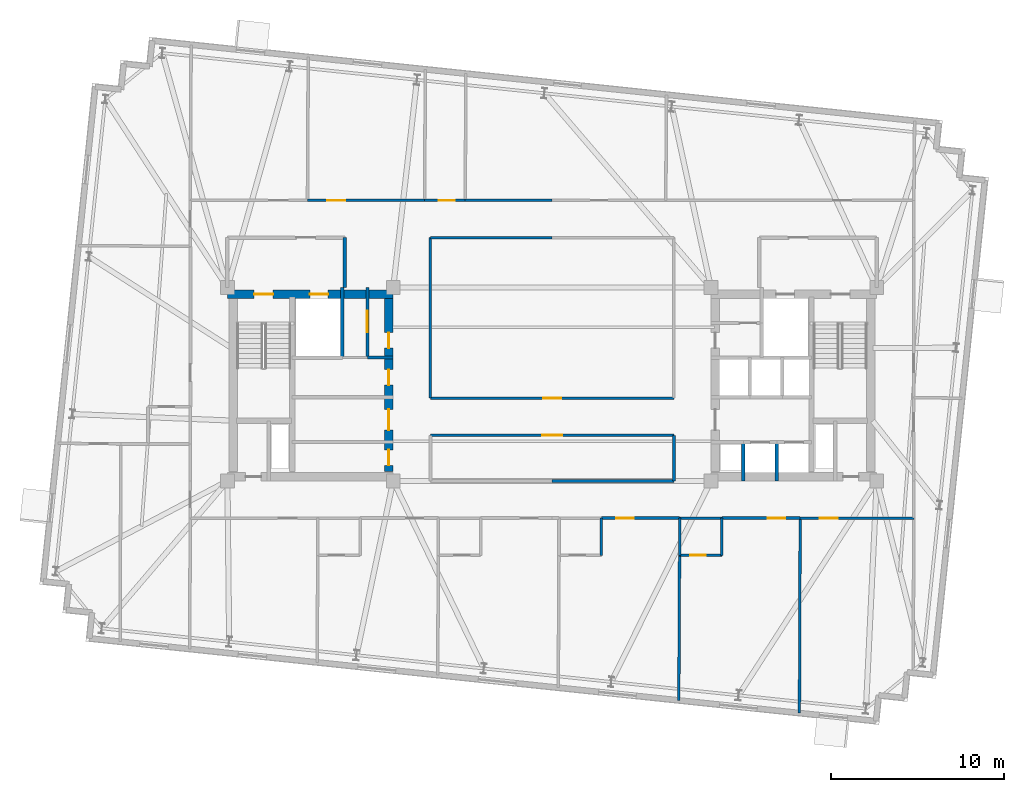
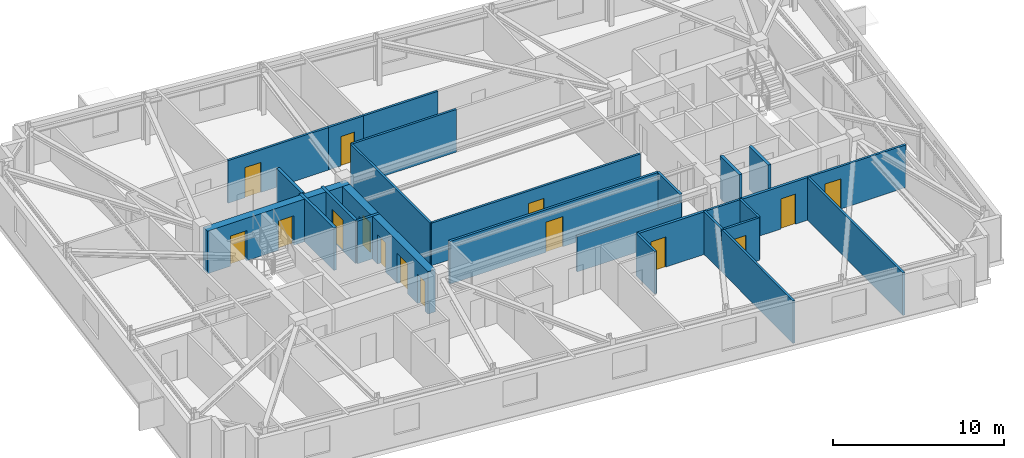
# One storey, part 7 of 11: 27 walls, 15 doors, 15 openings.
"""IFC4 building model written with IfcOpenShell, lengths in metres."""

from ifc_helpers import new_model, si_unit, direction, frame, frame_2d, origin, place, context, subcontext, project, spatial, rectangle, extrude, material, layer, layer_set, type_object, element, fill, save


model = new_model("IFC4")

# Units and contexts
model_context = context("Model", 3, precision=1e-05, world=origin(), true_north=direction((0.0, 1.0)))
body_context = subcontext(model_context, "Body", "Model", "MODEL_VIEW")
ifc_project = project(units=[si_unit("LENGTHUNIT", "METRE"), si_unit("AREAUNIT", "SQUARE_METRE"), si_unit("VOLUMEUNIT", "CUBIC_METRE"), si_unit("PLANEANGLEUNIT", "RADIAN"), si_unit("MASSUNIT", "GRAM", prefix="KILO")], contexts=[model_context])

# Site, building, storey
site_placement = place(None, origin())
site = spatial("IfcSite", under=ifc_project, at=site_placement, CompositionType="ELEMENT")
building_placement = place(site_placement, origin())
building = spatial("IfcBuilding", under=site, at=building_placement, Name="Qobustan Lattice House", CompositionType="ELEMENT")
storey_placement = place(building_placement, frame((0.0, 0.0, 216.5)))
storey = spatial("IfcBuildingStorey", under=building, at=storey_placement, Name="L61", CompositionType="ELEMENT", Elevation=216.5)

# Wall, openings, doors
ifc_material_1 = material(Name="Concrete C50/60", Category="concrete")
ifc_layer_1 = layer(ifc_material_1, 0.5)
ifc_layer_set_1 = layer_set([ifc_layer_1], Name="Concrete C50/60")
wall_type_1 = type_object("IfcWallType", Name="WAL-CORE-500", PredefinedType="SHEAR", material=ifc_layer_set_1)
wall_1_placement = place(storey_placement, frame((-18.800048828125, 5.2099609375, 0.0), z_axis=(0.0, 0.0, 1.0), x_axis=(1.0, 0.0, 0.0)))
wall_1 = element("IfcWall", 1, at=wall_1_placement, inside=storey, type_object=wall_type_1, Name="L61 split-core shear wall CW-N", PredefinedType="SHEAR", context=body_context, shape_type="SweptSolid", body=[
    extrude(rectangle(XDim=9.60009765625, YDim=0.5, at=frame_2d((4.800048828125, 0.0))), origin(), (0.0, 0.0, 1.0), 3.0400390625),
])
opening_1_placement = place(wall_1_placement, frame((1.550048828125, 0.0, 0.0)))
opening_1 = element("IfcOpeningElement", 2, at=opening_1_placement, cuts=wall_1, Name="Opening SD-01", PredefinedType="OPENING", context=body_context, shape_type="SweptSolid", body=[
    extrude(rectangle(XDim=1.10009765625, YDim=2.14990234375, at=frame_2d((0.550048828125, 1.074951171875))), frame((0.0, 0.260009765625, 0.0), z_axis=(0.0, -1.0, 0.0), x_axis=(1.0, 0.0, 0.0)), (0.0, 0.0, 1.0), 0.52001953125),
])
opening_2_placement = place(wall_1_placement, frame((4.77490234375, 0.0, 0.0)))
opening_2 = element("IfcOpeningElement", 3, at=opening_2_placement, cuts=wall_1, Name="Opening LD-01", PredefinedType="OPENING", context=body_context, shape_type="SweptSolid", body=[
    extrude(rectangle(XDim=1.050048828125, YDim=2.10009765625, at=frame_2d((0.52490234375, 1.050048828125))), frame((0.0, 0.260009765625, 0.0), z_axis=(0.0, -1.0, 0.0), x_axis=(1.0, 0.0, 0.0)), (0.0, 0.0, 1.0), 0.52001953125),
])
ifc_material_2 = material(Name="Persian walnut timber and steel frame door", Category="steel")
door_type_1 = type_object("IfcDoorType", Name="DOR-LIFT-LD-1050x2100", OperationType="NOTDEFINED", PredefinedType="DOOR", material=ifc_material_2)
door_1_placement = place(opening_2_placement, origin())
door_1 = element("IfcDoor", 4, at=door_1_placement, inside=storey, type_object=door_type_1, Name="L61 firefighting lift FF-W landing door", OperationType="DOUBLE_DOOR_SLIDING", OverallHeight=2.10009765625, OverallWidth=1.050048828125, PredefinedType="DOOR", context=body_context, shape_type="SweptSolid", body=[
    extrude(rectangle(XDim=1.050048828125, YDim=2.10009765625, at=frame_2d((0.52490234375, 1.050048828125))), frame((0.0, 0.02490234375, 0.0), z_axis=(0.0, -1.0, 0.0), x_axis=(1.0, 0.0, 0.0)), (0.0, 0.0, 1.0), 0.050048828125),
])
fill(opening_2, door_1)
ifc_material_3 = material(Name="Persian walnut timber and steel frame door", Category="steel")
door_type_2 = type_object("IfcDoorType", Name="DOR-STAIR-FD-1100x2150", OperationType="NOTDEFINED", PredefinedType="DOOR", material=ifc_material_3)
door_2_placement = place(opening_1_placement, origin())
door_2 = element("IfcDoor", 5, at=door_2_placement, inside=storey, type_object=door_type_2, Name="L61 exit stair ST-W1 fire door", OperationType="SINGLE_SWING_RIGHT", OverallHeight=2.14990234375, OverallWidth=1.10009765625, PredefinedType="DOOR", context=body_context, shape_type="SweptSolid", body=[
    extrude(rectangle(XDim=1.10009765625, YDim=2.14990234375, at=frame_2d((0.550048828125, 1.074951171875))), frame((0.0, 0.02490234375, 0.0), z_axis=(0.0, -1.0, 0.0), x_axis=(1.0, 0.0, 0.0)), (0.0, 0.0, 1.0), 0.050048828125),
])
fill(opening_1, door_2)

wall_2_placement = place(storey_placement, frame((-9.449951171875, -5.050048828125, 0.0), z_axis=(0.0, 0.0, 1.0), x_axis=(0.0, 1.0, 0.0)))
wall_2 = element("IfcWall", 6, at=wall_2_placement, inside=storey, type_object=wall_type_1, Name="L61 split-core shear wall CW-E", PredefinedType="SHEAR", context=body_context, shape_type="SweptSolid", body=[
    extrude(rectangle(XDim=10.10009765625, YDim=0.5, at=frame_2d((5.050048828125, 0.0))), origin(), (0.0, 0.0, 1.0), 3.0400390625),
])
opening_3_placement = place(wall_2_placement, frame((7.14990234375, 0.0, 0.0)))
opening_3 = element("IfcOpeningElement", 7, at=opening_3_placement, cuts=wall_2, Name="Opening RD-01", PredefinedType="OPENING", context=body_context, shape_type="SweptSolid", body=[
    extrude(rectangle(XDim=0.89990234375, YDim=2.10009765625, at=frame_2d((0.449951171875, 1.050048828125))), frame((0.0, 0.260009765625, 0.0), z_axis=(0.0, -1.0, 0.0), x_axis=(1.0, 0.0, 0.0)), (0.0, 0.0, 1.0), 0.52001953125),
])
opening_4_placement = place(wall_2_placement, frame((2.39990234375, 0.0, 0.0)))
opening_4 = element("IfcOpeningElement", 8, at=opening_4_placement, cuts=wall_2, Name="Opening FD-01", PredefinedType="OPENING", context=body_context, shape_type="SweptSolid", body=[
    extrude(rectangle(XDim=1.199951171875, YDim=2.14990234375, at=frame_2d((0.60009765625, 1.074951171875))), frame((0.0, 0.260009765625, 0.0), z_axis=(0.0, -1.0, 0.0), x_axis=(1.0, 0.0, 0.0)), (0.0, 0.0, 1.0), 0.52001953125),
])
opening_5_placement = place(wall_2_placement, frame((0.35009765625, 0.0, 0.0)))
opening_5 = element("IfcOpeningElement", 9, at=opening_5_placement, cuts=wall_2, Name="Opening RD-01", PredefinedType="OPENING", context=body_context, shape_type="SweptSolid", body=[
    extrude(rectangle(XDim=0.89990234375, YDim=2.10009765625, at=frame_2d((0.449951171875, 1.050048828125))), frame((0.0, 0.260009765625, 0.0), z_axis=(0.0, -1.0, 0.0), x_axis=(1.0, 0.0, 0.0)), (0.0, 0.0, 1.0), 0.52001953125),
])
opening_6_placement = place(wall_2_placement, frame((5.0, 0.0, 0.0)))
opening_6 = element("IfcOpeningElement", 10, at=opening_6_placement, cuts=wall_2, Name="Opening RD-01", PredefinedType="OPENING", context=body_context, shape_type="SweptSolid", body=[
    extrude(rectangle(XDim=0.89990234375, YDim=2.10009765625, at=frame_2d((0.449951171875, 1.050048828125))), frame((0.0, 0.260009765625, 0.0), z_axis=(0.0, -1.0, 0.0), x_axis=(1.0, 0.0, 0.0)), (0.0, 0.0, 1.0), 0.52001953125),
])
ifc_material_4 = material(Name="Persian walnut timber and steel frame door", Category="steel")
door_type_3 = type_object("IfcDoorType", Name="DOR-LOBBY-FD-1200x2150", OperationType="NOTDEFINED", PredefinedType="DOOR", material=ifc_material_4)
door_3_placement = place(opening_4_placement, origin())
door_3 = element("IfcDoor", 11, at=door_3_placement, inside=storey, type_object=door_type_3, Name="L61 West core foyer fire door", OperationType="SINGLE_SWING_LEFT", OverallHeight=2.14990234375, OverallWidth=1.199951171875, PredefinedType="DOOR", context=body_context, shape_type="SweptSolid", body=[
    extrude(rectangle(XDim=1.199951171875, YDim=2.14990234375, at=frame_2d((0.60009765625, 1.074951171875))), frame((0.0, 0.02490234375, 0.0), z_axis=(0.0, -1.0, 0.0), x_axis=(1.0, 0.0, 0.0)), (0.0, 0.0, 1.0), 0.050048828125),
])
fill(opening_4, door_3)
ifc_material_5 = material(Name="Persian walnut timber and steel frame door", Category="steel")
door_type_4 = type_object("IfcDoorType", Name="DOR-RISER-FD-900x2100", OperationType="NOTDEFINED", PredefinedType="DOOR", material=ifc_material_5)
door_4_placement = place(opening_3_placement, origin())
door_4 = element("IfcDoor", 12, at=door_4_placement, inside=storey, type_object=door_type_4, Name="L61 Data comms closet fire door", OperationType="SINGLE_SWING_RIGHT", OverallHeight=2.10009765625, OverallWidth=0.89990234375, PredefinedType="DOOR", context=body_context, shape_type="SweptSolid", body=[
    extrude(rectangle(XDim=0.89990234375, YDim=2.10009765625, at=frame_2d((0.449951171875, 1.050048828125))), frame((0.0, 0.02490234375, 0.0), z_axis=(0.0, -1.0, 0.0), x_axis=(1.0, 0.0, 0.0)), (0.0, 0.0, 1.0), 0.050048828125),
])
fill(opening_3, door_4)
door_5_placement = place(opening_5_placement, origin())
door_5 = element("IfcDoor", 13, at=door_5_placement, inside=storey, type_object=door_type_4, Name="L61 Collaborative study lounge fire door", OperationType="SINGLE_SWING_RIGHT", OverallHeight=2.10009765625, OverallWidth=0.89990234375, PredefinedType="DOOR", context=body_context, shape_type="SweptSolid", body=[
    extrude(rectangle(XDim=0.89990234375, YDim=2.10009765625, at=frame_2d((0.449951171875, 1.050048828125))), frame((0.0, 0.02490234375, 0.0), z_axis=(0.0, -1.0, 0.0), x_axis=(1.0, 0.0, 0.0)), (0.0, 0.0, 1.0), 0.050048828125),
])
fill(opening_5, door_5)
door_6_placement = place(opening_6_placement, origin())
door_6 = element("IfcDoor", 14, at=door_6_placement, inside=storey, type_object=door_type_4, Name="L61 Focus booth pod fire door", OperationType="SINGLE_SWING_LEFT", OverallHeight=2.10009765625, OverallWidth=0.89990234375, PredefinedType="DOOR", context=body_context, shape_type="SweptSolid", body=[
    extrude(rectangle(XDim=0.89990234375, YDim=2.10009765625, at=frame_2d((0.449951171875, 1.050048828125))), frame((0.0, 0.02490234375, 0.0), z_axis=(0.0, -1.0, 0.0), x_axis=(1.0, 0.0, 0.0)), (0.0, 0.0, 1.0), 0.050048828125),
])
fill(opening_6, door_6)

# Wall, opening, door
ifc_material_6 = material(Name="Gypsum fireboard acoustic partition", Category="gypsum")
ifc_layer_2 = layer(ifc_material_6, 0.179931640625)
ifc_layer_set_2 = layer_set([ifc_layer_2], Name="Gypsum fireboard acoustic partition")
wall_type_2 = type_object("IfcWallType", Name="WAL-FIRE-180", PredefinedType="PARTITIONING", material=ifc_layer_set_2)
wall_3_placement = place(storey_placement, frame((-10.699951171875, 5.60009765625, 0.0), z_axis=(0.0, 0.0, 1.0), x_axis=(0.0, -1.0, 0.0)))
wall_3 = element("IfcWall", 15, at=wall_3_placement, inside=storey, type_object=wall_type_2, Name="L61 interior partition 6", PredefinedType="PARTITIONING", context=body_context, shape_type="SweptSolid", body=[
    extrude(rectangle(XDim=4.050048828125, YDim=0.179931640625, at=frame_2d((2.02490234375, 0.0))), origin(), (0.0, 0.0, 1.0), 3.0400390625),
])
opening_7_placement = place(wall_3_placement, frame((1.324951171875, 0.0, 0.0)))
opening_7 = element("IfcOpeningElement", 16, at=opening_7_placement, cuts=wall_3, Name="Opening FD-03", PredefinedType="OPENING", context=body_context, shape_type="SweptSolid", body=[
    extrude(rectangle(XDim=1.25, YDim=2.199951171875, at=frame_2d((0.625, 1.10009765625))), frame((0.0, 0.099853515625, 0.0), z_axis=(0.0, -1.0, 0.0), x_axis=(1.0, 0.0, 0.0)), (0.0, 0.0, 1.0), 0.199951171875),
])
ifc_material_7 = material(Name="Persian walnut timber and steel frame door", Category="steel")
door_type_5 = type_object("IfcDoorType", Name="DOR-PLANT-1250x2200", OperationType="NOTDEFINED", PredefinedType="DOOR", material=ifc_material_7)
door_7_placement = place(opening_7_placement, origin())
door_7 = element("IfcDoor", 17, at=door_7_placement, inside=storey, type_object=door_type_5, Name="L61 Data comms closet to Linen store door", OperationType="SINGLE_SWING_LEFT", OverallHeight=2.199951171875, OverallWidth=1.25, PredefinedType="DOOR", context=body_context, shape_type="SweptSolid", body=[
    extrude(rectangle(XDim=1.25, YDim=2.199951171875, at=frame_2d((0.625, 1.10009765625))), frame((0.0, 0.02490234375, 0.0), z_axis=(0.0, -1.0, 0.0), x_axis=(1.0, 0.0, 0.0)), (0.0, 0.0, 1.0), 0.050048828125),
])
fill(opening_7, door_7)

# Wall
wall_4_placement = place(storey_placement, frame((-10.699951171875, 1.550048828125, 0.0), z_axis=(0.0, 0.0, 1.0), x_axis=(1.0, 0.0, 0.0)))
element("IfcWall", 18, at=wall_4_placement, inside=storey, type_object=wall_type_2, Name="L61 interior partition 7", PredefinedType="PARTITIONING", context=body_context, shape_type="SweptSolid", body=[
    extrude(rectangle(XDim=1.5, YDim=0.179931640625, at=frame_2d((0.75, 0.0))), origin(), (0.0, 0.0, 1.0), 3.0400390625),
])

# Wall, opening, door
wall_5_placement = place(storey_placement, frame((7.383056640625, -7.75, 0.0), z_axis=(0.0, 0.0, 1.0), x_axis=(-1.0, 0.0, 0.0)))
wall_5 = element("IfcWall", 19, at=wall_5_placement, inside=storey, type_object=wall_type_2, Name="L61 interior partition 53", PredefinedType="PARTITIONING", context=body_context, shape_type="SweptSolid", body=[
    extrude(rectangle(XDim=4.532958984375, YDim=0.179931640625, at=frame_2d((2.2666015625, 0.0))), origin(), (0.0, 0.0, 1.0), 3.0400390625),
])
opening_8_placement = place(wall_5_placement, frame((2.656494140625, 0.0, 0.0)))
opening_8 = element("IfcOpeningElement", 20, at=opening_8_placement, cuts=wall_5, Name="Opening FD-02", PredefinedType="OPENING", context=body_context, shape_type="SweptSolid", body=[
    extrude(rectangle(XDim=1.0, YDim=2.14990234375, at=frame_2d((0.5, 1.074951171875))), frame((0.0, 0.099853515625, 0.0), z_axis=(0.0, -1.0, 0.0), x_axis=(1.0, 0.0, 0.0)), (0.0, 0.0, 1.0), 0.199951171875),
])
ifc_material_8 = material(Name="Persian walnut timber and steel frame door", Category="steel")
door_type_6 = type_object("IfcDoorType", Name="DOR-UNIT-FD-1000x2150", OperationType="NOTDEFINED", PredefinedType="DOOR", material=ifc_material_8)
door_8_placement = place(opening_8_placement, origin())
door_8 = element("IfcDoor", 21, at=door_8_placement, inside=storey, type_object=door_type_6, Name="L61 South-east floor corridor to Kitchenette and studio apartment L61-S4 door", OperationType="SINGLE_SWING_RIGHT", OverallHeight=2.14990234375, OverallWidth=1.0, PredefinedType="DOOR", context=body_context, shape_type="SweptSolid", body=[
    extrude(rectangle(XDim=1.0, YDim=2.14990234375, at=frame_2d((0.5, 1.074951171875))), frame((0.0, 0.02490234375, 0.0), z_axis=(0.0, -1.0, 0.0), x_axis=(1.0, 0.0, 0.0)), (0.0, 0.0, 1.0), 0.050048828125),
])
fill(opening_8, door_8)

wall_6_placement = place(storey_placement, frame((14.366943359375, -7.75, 0.0), z_axis=(0.0, 0.0, 1.0), x_axis=(-1.0, 0.0, 0.0)))
wall_6 = element("IfcWall", 22, at=wall_6_placement, inside=storey, type_object=wall_type_2, Name="L61 interior partition 55", PredefinedType="PARTITIONING", context=body_context, shape_type="SweptSolid", body=[
    extrude(rectangle(XDim=4.533935546875, YDim=0.179931640625, at=frame_2d((2.26708984375, 0.0))), origin(), (0.0, 0.0, 1.0), 3.0400390625),
])
opening_9_placement = place(wall_6_placement, frame((0.876708984375, 0.0, 0.0)))
opening_9 = element("IfcOpeningElement", 23, at=opening_9_placement, cuts=wall_6, Name="Opening FD-02", PredefinedType="OPENING", context=body_context, shape_type="SweptSolid", body=[
    extrude(rectangle(XDim=1.0, YDim=2.14990234375, at=frame_2d((0.5, 1.074951171875))), frame((0.0, 0.099853515625, 0.0), z_axis=(0.0, -1.0, 0.0), x_axis=(1.0, 0.0, 0.0)), (0.0, 0.0, 1.0), 0.199951171875),
])
door_9_placement = place(opening_9_placement, origin())
door_9 = element("IfcDoor", 24, at=door_9_placement, inside=storey, type_object=door_type_6, Name="L61 South-east floor corridor to Kitchenette and studio apartment L61-S5 door", OperationType="SINGLE_SWING_LEFT", OverallHeight=2.14990234375, OverallWidth=1.0, PredefinedType="DOOR", context=body_context, shape_type="SweptSolid", body=[
    extrude(rectangle(XDim=1.0, YDim=2.14990234375, at=frame_2d((0.5, 1.074951171875))), frame((0.0, 0.02490234375, 0.0), z_axis=(0.0, -1.0, 0.0), x_axis=(1.0, 0.0, 0.0)), (0.0, 0.0, 1.0), 0.050048828125),
])
fill(opening_9, door_9)

ifc_material_9 = material(Name="Acoustic twin-stud gypsum partition", Category="gypsum")
ifc_layer_3 = layer(ifc_material_9, 0.14990234375)
ifc_layer_set_3 = layer_set([ifc_layer_3], Name="Acoustic twin-stud gypsum partition")
wall_type_3 = type_object("IfcWallType", Name="WAL-PART-150", PredefinedType="PARTITIONING", material=ifc_layer_set_3)
wall_7_placement = place(storey_placement, frame((-14.16650390625, 10.64990234375, 0.0), z_axis=(0.0, 0.0, 1.0), x_axis=(1.0, 0.0, 0.0)))
wall_7 = element("IfcWall", 25, at=wall_7_placement, inside=storey, type_object=wall_type_3, Name="L61 interior partition 36", PredefinedType="PARTITIONING", context=body_context, shape_type="SweptSolid", body=[
    extrude(rectangle(XDim=6.783447265625, YDim=0.14990234375, at=frame_2d((3.3916015625, 0.0))), origin(), (0.0, 0.0, 1.0), 3.0400390625),
])
opening_10_placement = place(wall_7_placement, frame((1.151611328125, 0.0, 0.0)))
opening_10 = element("IfcOpeningElement", 26, at=opening_10_placement, cuts=wall_7, Name="Opening ID-02", PredefinedType="OPENING", context=body_context, shape_type="SweptSolid", body=[
    extrude(rectangle(XDim=1.050048828125, YDim=2.14990234375, at=frame_2d((0.52490234375, 1.074951171875))), frame((0.0, 0.0849609375, 0.0), z_axis=(0.0, -1.0, 0.0), x_axis=(1.0, 0.0, 0.0)), (0.0, 0.0, 1.0), 0.169921875),
])
ifc_material_10 = material(Name="Persian walnut timber and steel frame door", Category="steel")
door_type_7 = type_object("IfcDoorType", Name="DOR-STUDY-1050x2150", OperationType="NOTDEFINED", PredefinedType="DOOR", material=ifc_material_10)
door_10_placement = place(opening_10_placement, origin())
door_10 = element("IfcDoor", 27, at=door_10_placement, inside=storey, type_object=door_type_7, Name="L61 North-west floor corridor to Focus study room N1B door", OperationType="SINGLE_SWING_RIGHT", OverallHeight=2.14990234375, OverallWidth=1.050048828125, PredefinedType="DOOR", context=body_context, shape_type="SweptSolid", body=[
    extrude(rectangle(XDim=1.050048828125, YDim=2.14990234375, at=frame_2d((0.52490234375, 1.074951171875))), frame((0.0, 0.02490234375, 0.0), z_axis=(0.0, -1.0, 0.0), x_axis=(1.0, 0.0, 0.0)), (0.0, 0.0, 1.0), 0.050048828125),
])
fill(opening_10, door_10)

# Walls
wall_8_placement = place(storey_placement, frame((-5.032958984375, 10.64990234375, 0.0), z_axis=(0.0, 0.0, 1.0), x_axis=(1.0, 0.0, 0.0)))
element("IfcWall", 28, at=wall_8_placement, inside=storey, type_object=wall_type_3, Name="L61 interior partition 38", PredefinedType="PARTITIONING", context=body_context, shape_type="SweptSolid", body=[
    extrude(rectangle(XDim=5.032958984375, YDim=0.14990234375, at=frame_2d((2.5166015625, 0.0))), origin(), (0.0, 0.0, 1.0), 3.0400390625),
])
wall_9_placement = place(storey_placement, frame((0.0, 8.5, 0.0), z_axis=(0.0, 0.0, 1.0), x_axis=(-1.0, 0.0, 0.0)))
element("IfcWall", 29, at=wall_9_placement, inside=storey, type_object=wall_type_3, Name="L61 interior partition 39", PredefinedType="PARTITIONING", context=body_context, shape_type="SweptSolid", body=[
    extrude(rectangle(XDim=7.050048828125, YDim=0.14990234375, at=frame_2d((3.52490234375, 0.0))), origin(), (0.0, 0.0, 1.0), 3.0400390625),
])

# Wall, opening, door
wall_10_placement = place(storey_placement, frame((20.949951171875, -7.75, 0.0), z_axis=(0.0, 0.0, 1.0), x_axis=(-1.0, 0.0, 0.0)))
wall_10 = element("IfcWall", 30, at=wall_10_placement, inside=storey, type_object=wall_type_3, Name="L61 interior partition 57", PredefinedType="PARTITIONING", context=body_context, shape_type="SweptSolid", body=[
    extrude(rectangle(XDim=6.5830078125, YDim=0.14990234375, at=frame_2d((3.29150390625, 0.0))), origin(), (0.0, 0.0, 1.0), 3.0400390625),
])
opening_11_placement = place(wall_10_placement, frame((4.406494140625, 0.0, 0.0)))
opening_11 = element("IfcOpeningElement", 31, at=opening_11_placement, cuts=wall_10, Name="Opening ID-02", PredefinedType="OPENING", context=body_context, shape_type="SweptSolid", body=[
    extrude(rectangle(XDim=1.050048828125, YDim=2.14990234375, at=frame_2d((0.52490234375, 1.074951171875))), frame((0.0, 0.0849609375, 0.0), z_axis=(0.0, -1.0, 0.0), x_axis=(1.0, 0.0, 0.0)), (0.0, 0.0, 1.0), 0.169921875),
])
door_11_placement = place(opening_11_placement, origin())
door_11 = element("IfcDoor", 32, at=door_11_placement, inside=storey, type_object=door_type_7, Name="L61 South-east floor corridor to Group study room door", OperationType="SINGLE_SWING_RIGHT", OverallHeight=2.14990234375, OverallWidth=1.050048828125, PredefinedType="DOOR", context=body_context, shape_type="SweptSolid", body=[
    extrude(rectangle(XDim=1.050048828125, YDim=2.14990234375, at=frame_2d((0.52490234375, 1.074951171875))), frame((0.0, 0.02490234375, 0.0), z_axis=(0.0, -1.0, 0.0), x_axis=(1.0, 0.0, 0.0)), (0.0, 0.0, 1.0), 0.050048828125),
])
fill(opening_11, door_11)

wall_11_placement = place(storey_placement, frame((-7.050048828125, -0.800048828125, 0.0), z_axis=(0.0, 0.0, 1.0), x_axis=(1.0, 0.0, 0.0)))
wall_11 = element("IfcWall", 33, at=wall_11_placement, inside=storey, type_object=wall_type_3, Name="L61 interior partition 65", PredefinedType="PARTITIONING", context=body_context, shape_type="SweptSolid", body=[
    extrude(rectangle(XDim=14.10009765625, YDim=0.14990234375, at=frame_2d((7.050048828125, 0.0))), origin(), (0.0, 0.0, 1.0), 3.0400390625),
])
opening_12_placement = place(wall_11_placement, frame((6.52490234375, 0.0, 0.0)))
opening_12 = element("IfcOpeningElement", 34, at=opening_12_placement, cuts=wall_11, Name="Opening ID-02", PredefinedType="OPENING", context=body_context, shape_type="SweptSolid", body=[
    extrude(rectangle(XDim=1.050048828125, YDim=2.14990234375, at=frame_2d((0.52490234375, 1.074951171875))), frame((0.0, 0.0849609375, 0.0), z_axis=(0.0, -1.0, 0.0), x_axis=(1.0, 0.0, 0.0)), (0.0, 0.0, 1.0), 0.169921875),
])
door_12_placement = place(opening_12_placement, origin())
door_12 = element("IfcDoor", 35, at=door_12_placement, inside=storey, type_object=door_type_7, Name="L61 Central spine corridor to Central study commons door", OperationType="SINGLE_SWING_RIGHT", OverallHeight=2.14990234375, OverallWidth=1.050048828125, PredefinedType="DOOR", context=body_context, shape_type="SweptSolid", body=[
    extrude(rectangle(XDim=1.050048828125, YDim=2.14990234375, at=frame_2d((0.52490234375, 1.074951171875))), frame((0.0, 0.02490234375, 0.0), z_axis=(0.0, -1.0, 0.0), x_axis=(1.0, 0.0, 0.0)), (0.0, 0.0, 1.0), 0.050048828125),
])
fill(opening_12, door_12)

# Walls
wall_12_placement = place(storey_placement, frame((-7.050048828125, 8.5, 0.0), z_axis=(0.0, 0.0, 1.0), x_axis=(0.0, -1.0, 0.0)))
element("IfcWall", 36, at=wall_12_placement, inside=storey, type_object=wall_type_3, Name="L61 interior partition 67", PredefinedType="PARTITIONING", context=body_context, shape_type="SweptSolid", body=[
    extrude(rectangle(XDim=9.300048828125, YDim=0.14990234375, at=frame_2d((4.64990234375, 0.0))), origin(), (0.0, 0.0, 1.0), 3.0400390625),
])
wall_13_placement = place(storey_placement, frame((7.383056640625, -9.89990234375, 0.0), z_axis=(0.0, 0.0, 1.0), x_axis=(-0.00523233441, -0.999986311245, 0.0)))
element("IfcWall", 37, at=wall_13_placement, inside=storey, type_object=wall_type_3, Name="L61 interior partition 99", PredefinedType="PARTITIONING", context=body_context, shape_type="SweptSolid", body=[
    extrude(rectangle(XDim=8.398681640625, YDim=0.14990234375, at=frame_2d((4.19921875, 0.0))), origin(), (0.0, 0.0, 1.0), 3.0400390625),
])
wall_14_placement = place(storey_placement, frame((14.366943359375, -7.75, 0.0), z_axis=(0.0, 0.0, 1.0), x_axis=(-0.003894978353, -0.999992414543, 0.0)))
element("IfcWall", 38, at=wall_14_placement, inside=storey, type_object=wall_type_3, Name="L61 interior partition 103", PredefinedType="PARTITIONING", context=body_context, shape_type="SweptSolid", body=[
    extrude(rectangle(XDim=11.282470703125, YDim=0.14990234375, at=frame_2d((5.64111328125, 0.0))), origin(), (0.0, 0.0, 1.0), 3.0400390625),
])
ifc_material_11 = material(Name="High-mass acoustic twin-stud partition", Category="gypsum")
ifc_layer_4 = layer(ifc_material_11, 0.1650390625)
ifc_layer_set_4 = layer_set([ifc_layer_4], Name="High-mass acoustic twin-stud partition")
wall_type_4 = type_object("IfcWallType", Name="WAL-PART-165", PredefinedType="PARTITIONING", material=ifc_layer_set_4)
wall_15_placement = place(storey_placement, frame((0.0, -5.60009765625, 0.0), z_axis=(0.0, 0.0, 1.0), x_axis=(1.0, 0.0, 0.0)))
element("IfcWall", 39, at=wall_15_placement, inside=storey, type_object=wall_type_4, Name="L61 interior partition 58", PredefinedType="PARTITIONING", context=body_context, shape_type="SweptSolid", body=[
    extrude(rectangle(XDim=7.050048828125, YDim=0.1650390625, at=frame_2d((3.52490234375, 0.0))), origin(), (0.0, 0.0, 1.0), 2.52490234375),
])

# Wall, opening, door
wall_16_placement = place(storey_placement, frame((7.050048828125, -2.949951171875, 0.0), z_axis=(0.0, 0.0, 1.0), x_axis=(-1.0, 0.0, 0.0)))
wall_16 = element("IfcWall", 40, at=wall_16_placement, inside=storey, type_object=wall_type_4, Name="L61 interior partition 66", PredefinedType="PARTITIONING", context=body_context, shape_type="SweptSolid", body=[
    extrude(rectangle(XDim=14.10009765625, YDim=0.1650390625, at=frame_2d((7.050048828125, 0.0))), origin(), (0.0, 0.0, 1.0), 3.0400390625),
])
opening_13_placement = place(wall_16_placement, frame((6.47509765625, 0.0, 0.0)))
opening_13 = element("IfcOpeningElement", 41, at=opening_13_placement, cuts=wall_16, Name="Opening ID-03", PredefinedType="OPENING", context=body_context, shape_type="SweptSolid", body=[
    extrude(rectangle(XDim=1.14990234375, YDim=2.14990234375, at=frame_2d((0.574951171875, 1.074951171875))), frame((0.0, 0.092529296875, 0.0), z_axis=(0.0, -1.0, 0.0), x_axis=(1.0, 0.0, 0.0)), (0.0, 0.0, 1.0), 0.18505859375),
])
ifc_material_12 = material(Name="Persian walnut timber and steel frame door", Category="steel")
door_type_8 = type_object("IfcDoorType", Name="DOR-KITCH-1150x2150", OperationType="NOTDEFINED", PredefinedType="DOOR", material=ifc_material_12)
door_13_placement = place(opening_13_placement, origin())
door_13 = element("IfcDoor", 42, at=door_13_placement, inside=storey, type_object=door_type_8, Name="L61 Central spine corridor to Shared kitchen and tea room door", OperationType="SINGLE_SWING_LEFT", OverallHeight=2.14990234375, OverallWidth=1.14990234375, PredefinedType="DOOR", context=body_context, shape_type="SweptSolid", body=[
    extrude(rectangle(XDim=1.14990234375, YDim=2.14990234375, at=frame_2d((0.574951171875, 1.074951171875))), frame((0.0, 0.02490234375, 0.0), z_axis=(0.0, -1.0, 0.0), x_axis=(1.0, 0.0, 0.0)), (0.0, 0.0, 1.0), 0.050048828125),
])
fill(opening_13, door_13)

# Walls
wall_17_placement = place(storey_placement, frame((7.050048828125, -5.60009765625, 0.0), z_axis=(0.0, 0.0, 1.0), x_axis=(0.0, 1.0, 0.0)))
element("IfcWall", 43, at=wall_17_placement, inside=storey, type_object=wall_type_4, Name="L61 interior partition 70", PredefinedType="PARTITIONING", context=body_context, shape_type="SweptSolid", body=[
    extrude(rectangle(XDim=2.650146484375, YDim=0.1650390625, at=frame_2d((1.3251953125, 0.0))), origin(), (0.0, 0.0, 1.0), 3.0400390625),
])
ifc_material_13 = material(Name="Two-hour gypsum fireboard acoustic partition", Category="gypsum")
ifc_layer_5 = layer(ifc_material_13, 0.199951171875)
ifc_layer_set_5 = layer_set([ifc_layer_5], Name="Two-hour gypsum fireboard acoustic partition")
wall_type_5 = type_object("IfcWallType", Name="WAL-PROT-200", PredefinedType="PARTITIONING", material=ifc_layer_set_5)
wall_18_placement = place(storey_placement, frame((-12.0, 5.60009765625, 0.0), z_axis=(0.0, 0.0, 1.0), x_axis=(0.0, 1.0, 0.0)))
element("IfcWall", 44, at=wall_18_placement, inside=storey, type_object=wall_type_5, Name="L61 interior partition 5", PredefinedType="PARTITIONING", context=body_context, shape_type="SweptSolid", body=[
    extrude(rectangle(XDim=2.89990234375, YDim=0.199951171875, at=frame_2d((1.449951171875, 0.0))), origin(), (0.0, 0.0, 1.0), 3.0400390625),
])
ifc_material_14 = material(Name="Concrete C40/50", Category="concrete")
ifc_layer_6 = layer(ifc_material_14, 0.199951171875)
ifc_layer_set_6 = layer_set([ifc_layer_6], Name="Concrete C40/50")
wall_type_6 = type_object("IfcWallType", Name="WAL-SHAFT-200", PredefinedType="PARTITIONING", material=ifc_layer_set_6)
wall_19_placement = place(storey_placement, frame((-12.14990234375, 1.550048828125, 0.0), z_axis=(0.0, 0.0, 1.0), x_axis=(0.0, 1.0, 0.0)))
element("IfcWall", 45, at=wall_19_placement, inside=storey, type_object=wall_type_6, Name="L61 interior partition 2", PredefinedType="PARTITIONING", context=body_context, shape_type="SweptSolid", body=[
    extrude(rectangle(XDim=4.050048828125, YDim=0.199951171875, at=frame_2d((2.02490234375, 0.0))), origin(), (0.0, 0.0, 1.0), 3.0400390625),
])
for number, where, z_axis, x_axis, name in (
    (46, (11.080078125, -5.60009765625, 0.0), (0.0, 0.0, 1.0), (0.0, 1.0, 0.0), "L61 interior partition 30"),
    (47, (13.02001953125, -5.60009765625, 0.0), (0.0, 0.0, 1.0), (0.0, 1.0, 0.0), "L61 interior partition 31"),
):
    element("IfcWall", number, at=place(storey_placement, frame(where, z_axis=z_axis, x_axis=x_axis)), inside=storey, type_object=wall_type_6, Name=name, PredefinedType="PARTITIONING", context=body_context, shape_type="SweptSolid", body=[
        extrude(rectangle(XDim=2.25, YDim=0.199951171875, at=frame_2d((1.125, 0.0))), origin(), (0.0, 0.0, 1.0), 3.0400390625),
    ])

# Wall, opening, door
ifc_material_15 = material(Name="Moisture-resistant acoustic plumbing wall", Category="gypsum")
ifc_layer_7 = layer(ifc_material_15, 0.14990234375)
ifc_layer_set_7 = layer_set([ifc_layer_7], Name="Moisture-resistant acoustic plumbing wall")
wall_type_7 = type_object("IfcWallType", Name="WAL-WET-150", PredefinedType="PLUMBINGWALL", material=ifc_layer_set_7)
wall_20_placement = place(storey_placement, frame((-7.383056640625, 10.64990234375, 0.0), z_axis=(0.0, 0.0, 1.0), x_axis=(1.0, 0.0, 0.0)))
wall_20 = element("IfcWall", 48, at=wall_20_placement, inside=storey, type_object=wall_type_7, Name="L61 interior partition 37", PredefinedType="PLUMBINGWALL", context=body_context, shape_type="SweptSolid", body=[
    extrude(rectangle(XDim=2.35009765625, YDim=0.14990234375, at=frame_2d((1.175048828125, 0.0))), origin(), (0.0, 0.0, 1.0), 3.0400390625),
])
opening_14_placement = place(wall_20_placement, frame((0.833740234375, 0.0, 0.0)))
opening_14 = element("IfcOpeningElement", 49, at=opening_14_placement, cuts=wall_20, Name="Opening WD-01", PredefinedType="OPENING", context=body_context, shape_type="SweptSolid", body=[
    extrude(rectangle(XDim=0.89990234375, YDim=2.10009765625, at=frame_2d((0.449951171875, 1.050048828125))), frame((0.0, 0.0849609375, 0.0), z_axis=(0.0, -1.0, 0.0), x_axis=(1.0, 0.0, 0.0)), (0.0, 0.0, 1.0), 0.169921875),
])
ifc_material_16 = material(Name="Persian walnut timber and steel frame door", Category="steel")
door_type_9 = type_object("IfcDoorType", Name="DOR-WET-900x2100", OperationType="NOTDEFINED", PredefinedType="DOOR", material=ifc_material_16)
door_14_placement = place(opening_14_placement, origin())
door_14 = element("IfcDoor", 50, at=door_14_placement, inside=storey, type_object=door_type_9, Name="L61 North-west floor corridor to Accessible WC door", OperationType="SINGLE_SWING_LEFT", OverallHeight=2.10009765625, OverallWidth=0.89990234375, PredefinedType="DOOR", context=body_context, shape_type="SweptSolid", body=[
    extrude(rectangle(XDim=0.89990234375, YDim=2.10009765625, at=frame_2d((0.449951171875, 1.050048828125))), frame((0.0, 0.02490234375, 0.0), z_axis=(0.0, -1.0, 0.0), x_axis=(1.0, 0.0, 0.0)), (0.0, 0.0, 1.0), 0.050048828125),
])
fill(opening_14, door_14)

# Walls
wall_21_placement = place(storey_placement, frame((9.8330078125, -7.75, 0.0), z_axis=(0.0, 0.0, 1.0), x_axis=(-1.0, 0.0, 0.0)))
element("IfcWall", 51, at=wall_21_placement, inside=storey, type_object=wall_type_7, Name="L61 interior partition 56", PredefinedType="PLUMBINGWALL", context=body_context, shape_type="SweptSolid", body=[
    extrude(rectangle(XDim=2.449951171875, YDim=0.14990234375, at=frame_2d((1.22509765625, 0.0))), origin(), (0.0, 0.0, 1.0), 3.0400390625),
])
for number, where, z_axis, x_axis, name in (
    (52, (2.85009765625, -9.89990234375, 0.0), (0.0, 0.0, 1.0), (0.0, 1.0, 0.0), "L61 interior partition 98"),
    (53, (7.383056640625, -7.75, 0.0), (0.0, 0.0, 1.0), (0.0, -1.0, 0.0), "L61 interior partition 100"),
):
    element("IfcWall", number, at=place(storey_placement, frame(where, z_axis=z_axis, x_axis=x_axis)), inside=storey, type_object=wall_type_7, Name=name, PredefinedType="PLUMBINGWALL", context=body_context, shape_type="SweptSolid", body=[
        extrude(rectangle(XDim=2.14990234375, YDim=0.14990234375, at=frame_2d((1.074951171875, 0.0))), origin(), (0.0, 0.0, 1.0), 3.0400390625),
    ])

# Wall, opening, door
wall_22_placement = place(storey_placement, frame((7.383056640625, -9.89990234375, 0.0), z_axis=(0.0, 0.0, 1.0), x_axis=(1.0, 0.0, 0.0)))
wall_22 = element("IfcWall", 54, at=wall_22_placement, inside=storey, type_object=wall_type_7, Name="L61 interior partition 101", PredefinedType="PLUMBINGWALL", context=body_context, shape_type="SweptSolid", body=[
    extrude(rectangle(XDim=2.449951171875, YDim=0.14990234375, at=frame_2d((1.22509765625, 0.0))), origin(), (0.0, 0.0, 1.0), 3.0400390625),
])
opening_15_placement = place(wall_22_placement, frame((0.62890625, 0.0, 0.0)))
opening_15 = element("IfcOpeningElement", 55, at=opening_15_placement, cuts=wall_22, Name="Opening WD-01", PredefinedType="OPENING", context=body_context, shape_type="SweptSolid", body=[
    extrude(rectangle(XDim=0.89990234375, YDim=2.10009765625, at=frame_2d((0.449951171875, 1.050048828125))), frame((0.0, 0.0849609375, 0.0), z_axis=(0.0, -1.0, 0.0), x_axis=(1.0, 0.0, 0.0)), (0.0, 0.0, 1.0), 0.169921875),
])
door_15_placement = place(opening_15_placement, origin())
door_15 = element("IfcDoor", 56, at=door_15_placement, inside=storey, type_object=door_type_9, Name="L61 Kitchenette and studio apartment L61-S5 to En-suite bathroom L61-S5 door", OperationType="SINGLE_SWING_LEFT", OverallHeight=2.10009765625, OverallWidth=0.89990234375, PredefinedType="DOOR", context=body_context, shape_type="SweptSolid", body=[
    extrude(rectangle(XDim=0.89990234375, YDim=2.10009765625, at=frame_2d((0.449951171875, 1.050048828125))), frame((0.0, 0.02490234375, 0.0), z_axis=(0.0, -1.0, 0.0), x_axis=(1.0, 0.0, 0.0)), (0.0, 0.0, 1.0), 0.050048828125),
])
fill(opening_15, door_15)

# Wall
wall_23_placement = place(storey_placement, frame((9.8330078125, -9.89990234375, 0.0), z_axis=(0.0, 0.0, 1.0), x_axis=(0.0, 1.0, 0.0)))
element("IfcWall", 57, at=wall_23_placement, inside=storey, type_object=wall_type_7, Name="L61 interior partition 102", PredefinedType="PLUMBINGWALL", context=body_context, shape_type="SweptSolid", body=[
    extrude(rectangle(XDim=2.14990234375, YDim=0.14990234375, at=frame_2d((1.074951171875, 0.0))), origin(), (0.0, 0.0, 1.0), 3.0400390625),
])

save(model, "model.ifc")
